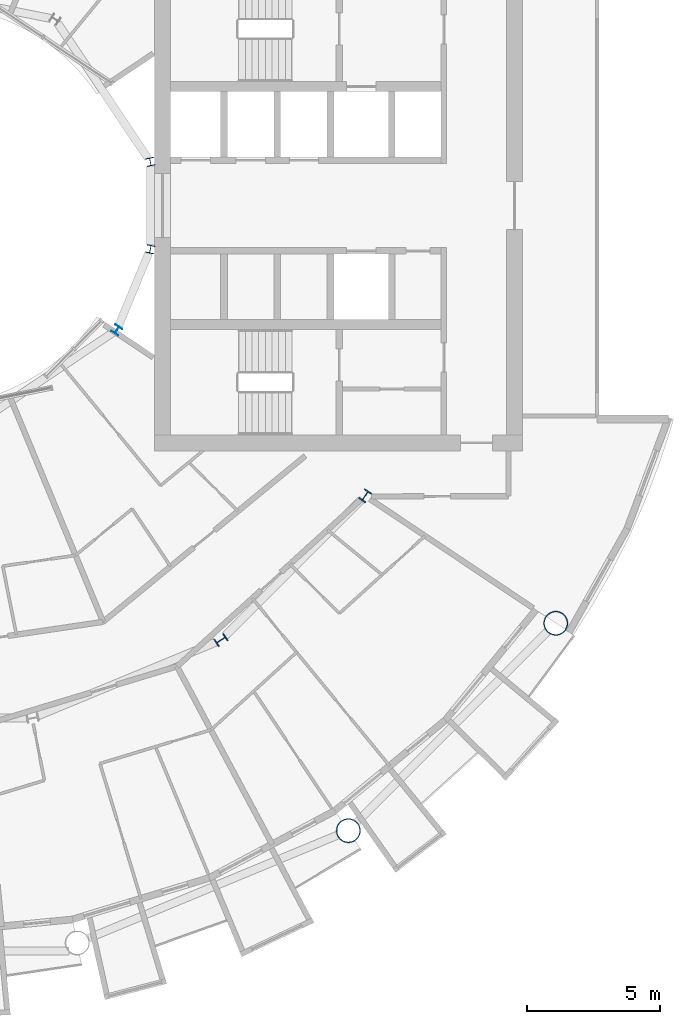
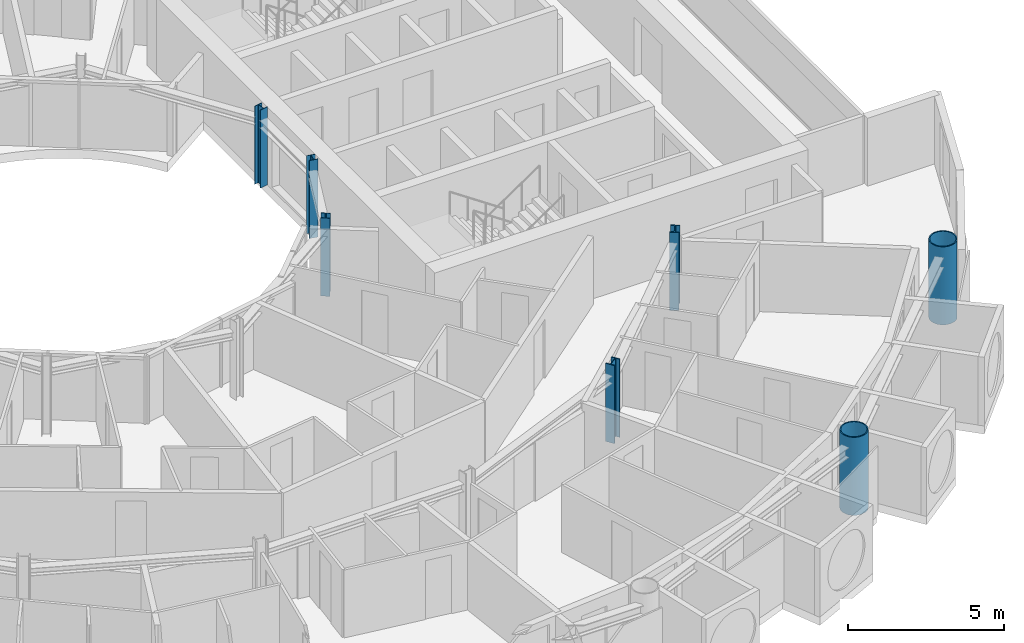
# One storey, part 2 of 27: 7 columns.
"""IFC4 building model written with IfcOpenShell, lengths in metres."""

from ifc_helpers import new_model, si_unit, direction, frame, origin, origin_2d, place, context, subcontext, project, spatial, hollow_circle, i_section, extrude, material, material_profile, profile_set, type_object, element, save


model = new_model("IFC4")

# Units and contexts
model_context = context("Model", 3, precision=1e-05, world=origin(), true_north=direction((0.0, 1.0)))
body_context = subcontext(model_context, "Body", "Model", "MODEL_VIEW")
ifc_project = project(units=[si_unit("LENGTHUNIT", "METRE"), si_unit("AREAUNIT", "SQUARE_METRE"), si_unit("VOLUMEUNIT", "CUBIC_METRE"), si_unit("PLANEANGLEUNIT", "RADIAN"), si_unit("MASSUNIT", "GRAM", prefix="KILO")], contexts=[model_context])

# Site, building, storey
site_placement = place(None, origin())
site = spatial("IfcSite", under=ifc_project, at=site_placement, CompositionType="ELEMENT")
building_placement = place(site_placement, origin())
building = spatial("IfcBuilding", under=site, at=building_placement, Name="Maasbend Ring Residences", CompositionType="ELEMENT")
storey_placement = place(building_placement, frame((0.0, 0.0, 136.050048828125)))
storey = spatial("IfcBuildingStorey", under=building, at=storey_placement, Name="L39", CompositionType="ELEMENT", Elevation=136.050048828125)

# Columns
ifc_material_1 = material(Name="Composite concrete-filled steel tube S460NH / C80/95", Category="concrete")
ifc_material_profile_1 = material_profile(ifc_material_1, hollow_circle(Radius=0.45703125, WallThickness=0.0400390625, at=origin_2d()), Name="Composite tube column CHS 914x40")
ifc_profile_set_1 = profile_set([ifc_material_profile_1], Name="Composite concrete-filled steel tube S460NH / C80/95")
column_type_1 = type_object("IfcColumnType", Name="Composite tube column CHS 914x40", PredefinedType="COLUMN", material=ifc_profile_set_1)
for number, where, z_axis, x_axis, name in (
    (1, (15.6669921875, -23.447509765625, 0.0), (0.0, 0.0, 1.0), (1.0, 0.0, 0.0), "Outer column R14"),
    (2, (23.447509765625, -15.6669921875, 0.0), (0.0, 0.0, 1.0), (1.0, 0.0, 0.0), "Outer column R15"),
):
    element("IfcColumn", number, at=place(storey_placement, frame(where, z_axis=z_axis, x_axis=x_axis)), inside=storey, type_object=column_type_1, Name=name, PredefinedType="COLUMN", context=body_context, shape_type="SweptSolid", body=[
        extrude(hollow_circle(Radius=0.45703125, WallThickness=0.0400390625, at=origin_2d()), origin(), (0.0, 0.0, 1.0), 3.050048828125),
    ])
ifc_material_2 = material(Name="Steel S355J2", Category="steel")
ifc_material_profile_2 = material_profile(ifc_material_2, i_section(OverallWidth=0.300048828125, OverallDepth=0.300048828125, WebThickness=0.010986328125, FlangeThickness=0.01904296875, FilletRadius=0.027099609375, at=origin_2d()), Name="HEB 300")
ifc_profile_set_2 = profile_set([ifc_material_profile_2], Name="Steel S355J2")
column_type_2 = type_object("IfcColumnType", Name="Steel column HEB 300", PredefinedType="COLUMN", material=ifc_profile_set_2)
for number, where, z_axis, x_axis, name in (
    (3, (8.238525390625, 1.638916015625, 0.0), (0.0, 0.0, 1.0), (0.980785280403, 0.195090322016, 0.0), "Well ring column R1"),
    (4, (6.984375, -4.666748046875, 0.0), (0.0, 0.0, 1.0), (0.831469612303, -0.55557023302, 0.0), "Well ring column R15"),
    (5, (8.238525390625, -1.638916015625, 0.0), (0.0, 0.0, 1.0), (0.980785280403, -0.195090322016, 0.0), "Well ring column R16"),
):
    element("IfcColumn", number, at=place(storey_placement, frame(where, z_axis=z_axis, x_axis=x_axis)), inside=storey, type_object=column_type_2, Name=name, PredefinedType="COLUMN", context=body_context, shape_type="SweptSolid", body=[
        extrude(i_section(OverallWidth=0.300048828125, OverallDepth=0.300048828125, WebThickness=0.010986328125, FlangeThickness=0.01904296875, FilletRadius=0.027099609375, at=origin_2d()), origin(), (0.0, 0.0, 1.0), 3.050048828125),
    ])
ifc_material_3 = material(Name="Steel S460M", Category="steel")
ifc_material_profile_3 = material_profile(ifc_material_3, i_section(OverallWidth=0.306884765625, OverallDepth=0.431884765625, WebThickness=0.02099609375, FlangeThickness=0.0400390625, FilletRadius=0.027099609375, at=origin_2d()), Name="HEM 400")
ifc_profile_set_3 = profile_set([ifc_material_profile_3], Name="Steel S460M")
column_type_3 = type_object("IfcColumnType", Name="Steel column HEM 400", PredefinedType="COLUMN", material=ifc_profile_set_3)
for number, where, z_axis, x_axis, name in (
    (6, (10.88916015625, -16.296875, 0.0), (0.0, 0.0, 1.0), (0.55557023302, -0.831469612303, 0.0), "Corridor ring column R14"),
    (7, (16.296875, -10.88916015625, 0.0), (0.0, 0.0, 1.0), (0.831469612303, -0.55557023302, 0.0), "Corridor ring column R15"),
):
    element("IfcColumn", number, at=place(storey_placement, frame(where, z_axis=z_axis, x_axis=x_axis)), inside=storey, type_object=column_type_3, Name=name, PredefinedType="COLUMN", context=body_context, shape_type="SweptSolid", body=[
        extrude(i_section(OverallWidth=0.306884765625, OverallDepth=0.431884765625, WebThickness=0.02099609375, FlangeThickness=0.0400390625, FilletRadius=0.027099609375, at=origin_2d()), origin(), (0.0, 0.0, 1.0), 3.050048828125),
    ])

save(model, "model.ifc")
